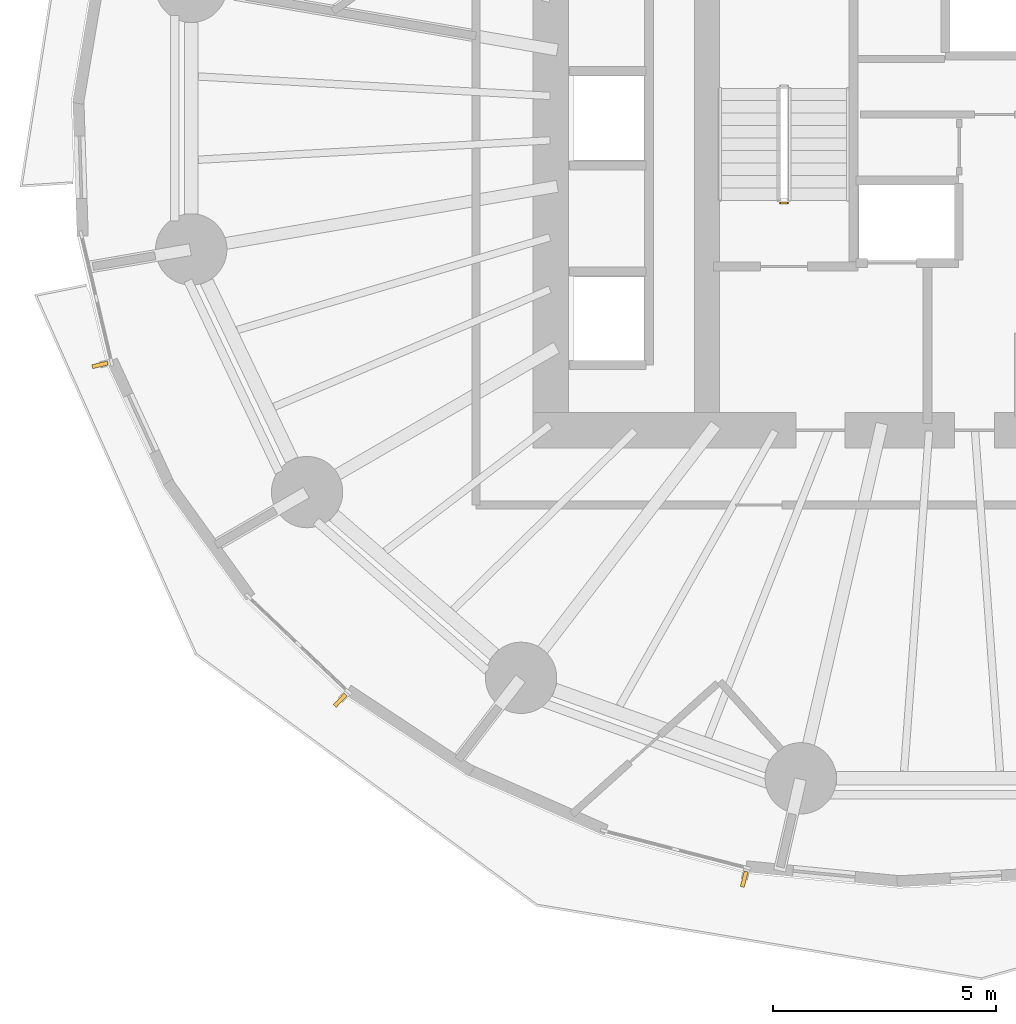
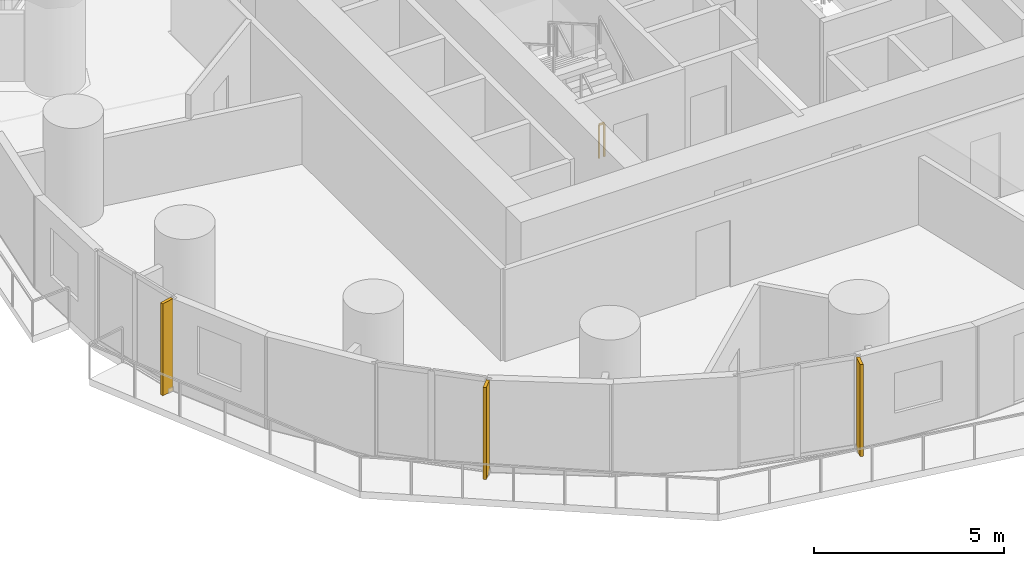
# One storey, part 11 of 14: 3 shading devices, 1 railing.
"""IFC4 building model written with IfcOpenShell, lengths in metres."""

from ifc_helpers import new_model, si_unit, direction, frame, origin, origin_2d, place, context, subcontext, project, spatial, rectangle, extrude, material, layer, layer_set, type_object, element, save


model = new_model("IFC4")

# Units and contexts
model_context = context("Model", 3, precision=1e-05, world=origin(), true_north=direction((0.0, 1.0)))
body_context = subcontext(model_context, "Body", "Model", "MODEL_VIEW")
ifc_project = project(units=[si_unit("LENGTHUNIT", "METRE"), si_unit("AREAUNIT", "SQUARE_METRE"), si_unit("VOLUMEUNIT", "CUBIC_METRE"), si_unit("PLANEANGLEUNIT", "RADIAN"), si_unit("MASSUNIT", "GRAM", prefix="KILO")], contexts=[model_context])

# Site, building, storey
site_placement = place(None, origin())
site = spatial("IfcSite", under=ifc_project, at=site_placement, CompositionType="ELEMENT")
building_placement = place(site_placement, origin())
building = spatial("IfcBuilding", under=site, at=building_placement, Name="Veldorim Arch Residences", CompositionType="ELEMENT")
storey_placement = place(building_placement, frame((0.0, 0.0, 34.39990234375)))
storey = spatial("IfcBuildingStorey", under=building, at=storey_placement, Name="L09", CompositionType="ELEMENT", Elevation=34.39990234375)

# Railing
ifc_material_1 = material(Name="Steel S355", Category="steel")
railing_type = type_object("IfcRailingType", Name="Galvanised Steel Stair Safety Guardrail 1100", PredefinedType="GUARDRAIL", material=ifc_material_1)
railing_placement = place(storey_placement, frame((28.31005859375, 22.10009765625, 0.0)))
element("IfcRailing", 1, at=railing_placement, inside=storey, type_object=railing_type, Name="L09 ST-1 stair guard 4", PredefinedType="GUARDRAIL", context=body_context, shape_type="SweptSolid", body=[
    extrude(rectangle(XDim=0.048095703125, YDim=0.048095703125, at=origin_2d()), frame((0.0, 0.0, 1.076171875), z_axis=(-1.0, 0.0, 0.0), x_axis=(0.0, -1.0, 0.0)), (0.0, 0.0, 1.0), 0.16015625),
    extrude(rectangle(XDim=0.0419921875, YDim=0.0419921875, at=origin_2d()), origin(), (0.0, 0.0, 1.0), 1.052001953125),
    extrude(rectangle(XDim=0.0419921875, YDim=0.0419921875, at=origin_2d()), frame((-0.16015625, 0.0, 0.0)), (0.0, 0.0, 1.0), 1.052001953125),
])

# Shading devices
ifc_material_2 = material(Name="Terracotta Ceramic", Category="masonry")
ifc_layer = layer(ifc_material_2, 0.090087890625, Name="Vertical Extruded Terracotta Baguette Sun-Shading Fin")
ifc_layer_set = layer_set([ifc_layer], Name="Terracotta Ceramic")
shading_device_type = type_object("IfcShadingDeviceType", Name="Vertical Extruded Terracotta Baguette Sun-Shading Fin", PredefinedType="USERDEFINED", material=ifc_layer_set)
for number, where, z_axis, x_axis, name in (
    (2, (12.887939453125, 18.4658203125, 0.0), (0.0, 0.0, 1.0), (-0.230219585439, 0.973138706701, 0.0), "L09 vertical terracotta sun-shading fin 19"),
    (3, (18.276123046875, 10.94189453125, 0.0), (0.0, 0.0, 1.0), (-0.724532846102, 0.689240273721, 0.0), "L09 vertical terracotta sun-shading fin 22"),
    (4, (27.338623046875, 6.927978515625, 0.0), (0.0, 0.0, 1.0), (-0.968191325187, 0.250211026602, 0.0), "L09 vertical terracotta sun-shading fin 25"),
):
    element("IfcShadingDevice", number, at=place(storey_placement, frame(where, z_axis=z_axis, x_axis=x_axis)), inside=storey, type_object=shading_device_type, Name=name, ObjectType="FIN", PredefinedType="USERDEFINED", context=body_context, shape_type="SweptSolid", body=[
        extrude(rectangle(XDim=0.090087890625, YDim=0.360107421875, at=origin_2d()), origin(), (0.0, 0.0, 1.0), 2.9599609375),
    ])

save(model, "model.ifc")
